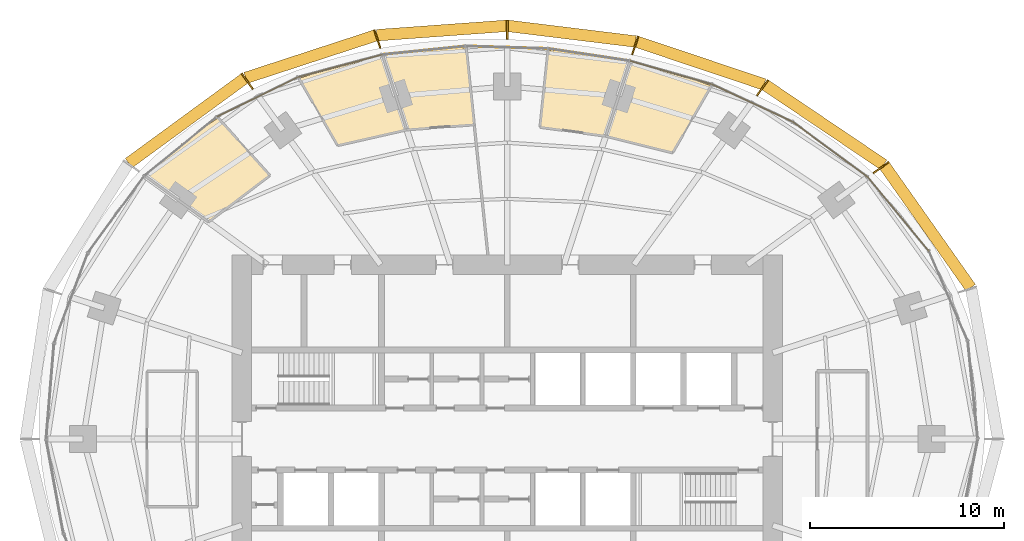
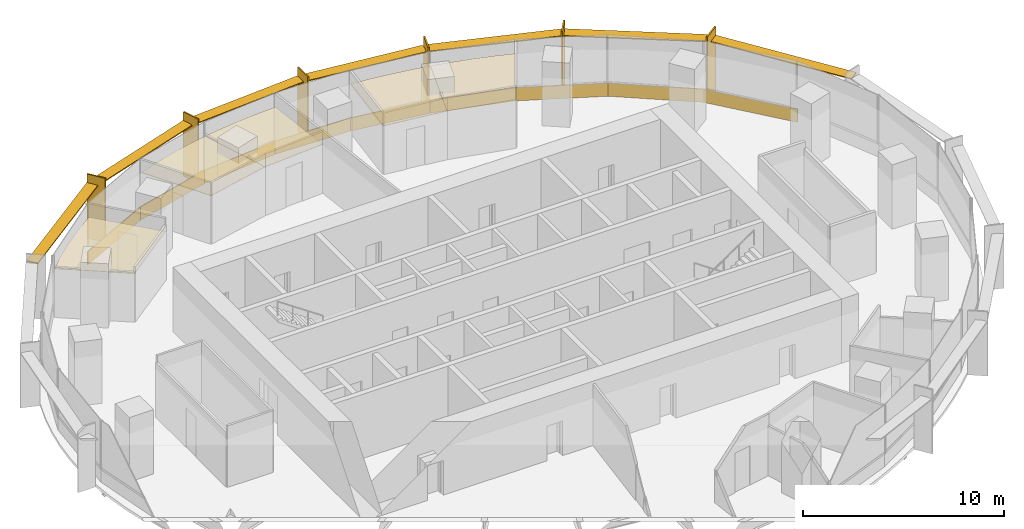
# One storey, part 15 of 15: 14 coverings, 13 shading devices.
"""IFC4 building model written with IfcOpenShell, lengths in metres."""

from ifc_helpers import new_model, si_unit, direction, frame, origin, origin_2d, place, context, subcontext, project, spatial, polyline, rectangle, outline, extrude, material, layer, layer_set, type_object, element, save


model = new_model("IFC4")

# Units and contexts
model_context = context("Model", 3, precision=1e-05, world=origin(), true_north=direction((0.0, 1.0)))
body_context = subcontext(model_context, "Body", "Model", "MODEL_VIEW")
ifc_project = project(units=[si_unit("LENGTHUNIT", "METRE"), si_unit("AREAUNIT", "SQUARE_METRE"), si_unit("VOLUMEUNIT", "CUBIC_METRE"), si_unit("PLANEANGLEUNIT", "RADIAN"), si_unit("MASSUNIT", "GRAM", prefix="KILO")], contexts=[model_context])

# Site, building, storey
site_placement = place(None, origin())
site = spatial("IfcSite", under=ifc_project, at=site_placement, CompositionType="ELEMENT")
building_placement = place(site_placement, origin())
building = spatial("IfcBuilding", under=site, at=building_placement, Name="Marramba Exchange Tower", CompositionType="ELEMENT")
storey_placement = place(building_placement, frame((0.0, 0.0, 187.699951171875)))
storey = spatial("IfcBuildingStorey", under=building, at=storey_placement, Name="L45", CompositionType="ELEMENT", Elevation=187.699951171875)

# Shading devices
ifc_material_1 = material(Name="Aluminium blade, timber-look bronze finish", Category="wood")
ifc_layer_1 = layer(ifc_material_1, 0.080078125)
ifc_layer_set_1 = layer_set([ifc_layer_1], Name="Floor-edge blade 1000x80")
shading_device_type_1 = type_object("IfcShadingDeviceType", Name="Floor-edge blade 1000x80", PredefinedType="USERDEFINED", material=ifc_layer_set_1)
for number, where, z_axis, x_axis, name in (
    (1, (19.298828125, 14.021484375, -0.159912109375), (0.0, 0.0, 1.0), (0.809016994375, 0.587785252292, 0.0), "Floor-edge blade FB1 L45 TC03"),
    (2, (13.176513671875, 18.135986328125, -0.159912109375), (0.0, 0.0, 1.0), (0.587785252292, 0.809016994375, 0.0), "Floor-edge blade FB1 L45 TC04"),
    (3, (6.605712890625, 20.330078125, -0.159912109375), (0.0, 0.0, 1.0), (0.309016994375, 0.951056516295, 0.0), "Floor-edge blade FB1 L45 TC05"),
    (4, (0.0, 21.13623046875, -0.159912109375), (0.0, 0.0, 1.0), (0.0, 1.0, 0.0), "Floor-edge blade FB1 L45 TC06"),
    (5, (-6.7119140625, 20.657470703125, -0.159912109375), (0.0, 0.0, 1.0), (-0.309016994375, 0.951056516295, 0.0), "Floor-edge blade FB1 L45 TC07"),
    (6, (-13.422607421875, 18.474609375, -0.159912109375), (0.0, 0.0, 1.0), (-0.587785252292, 0.809016994375, 0.0), "Floor-edge blade FB1 L45 TC08"),
):
    element("IfcShadingDevice", number, at=place(storey_placement, frame(where, z_axis=z_axis, x_axis=x_axis)), inside=storey, type_object=shading_device_type_1, Name=name, ObjectType="FIN", PredefinedType="USERDEFINED", context=body_context, shape_type="SweptSolid", body=[
        extrude(rectangle(XDim=1.0, YDim=0.080078125, at=origin_2d()), origin(), (0.0, 0.0, 1.0), 3.89990234375),
    ])
ifc_material_2 = material(Name="Aluminium sunshade, bronze anodised", Category="aluminium")
ifc_layer_2 = layer(ifc_material_2, 0.06005859375)
ifc_layer_set_2 = layer_set([ifc_layer_2], Name="SUNSHADE blade 600x60")
shading_device_type_2 = type_object("IfcShadingDeviceType", Name="SUNSHADE blade 600x60", PredefinedType="USERDEFINED", material=ifc_layer_set_2)
shading_device_1_placement = place(storey_placement, frame((21.703857421875, 10.9599609375, 3.159912109375), z_axis=(0.0, 0.0, 1.0), x_axis=(-0.576555118613, 0.81705825692, 0.0)))
element("IfcShadingDevice", 7, at=shading_device_1_placement, inside=storey, type_object=shading_device_type_2, Name="Sunshade SS1 L45 bay 02", ObjectType="SUNSHADE", PredefinedType="USERDEFINED", context=body_context, shape_type="SweptSolid", body=[
    extrude(rectangle(XDim=7.70166015625, YDim=0.60009765625, at=origin_2d()), origin(), (0.0, 0.0, 1.0), 0.06005859375),
])
shading_device_2_placement = place(storey_placement, frame((16.37744140625, 16.218505859375, 3.159912109375), z_axis=(0.0, 0.0, 1.0), x_axis=(-0.829071447151, 0.559142679035, 0.0)))
element("IfcShadingDevice", 8, at=shading_device_2_placement, inside=storey, type_object=shading_device_type_2, Name="Sunshade SS1 L45 bay 03", ObjectType="SUNSHADE", PredefinedType="USERDEFINED", context=body_context, shape_type="SweptSolid", body=[
    extrude(rectangle(XDim=7.35791015625, YDim=0.60009765625, at=origin_2d()), origin(), (0.0, 0.0, 1.0), 0.06005859375),
])
shading_device_3_placement = place(storey_placement, frame((9.980712890625, 19.4091796875, 3.159912109375), z_axis=(0.0, 0.0, 1.0), x_axis=(-0.948096437223, 0.317982933073, 0.0)))
element("IfcShadingDevice", 9, at=shading_device_3_placement, inside=storey, type_object=shading_device_type_2, Name="Sunshade SS1 L45 bay 04", ObjectType="SUNSHADE", PredefinedType="USERDEFINED", context=body_context, shape_type="SweptSolid", body=[
    extrude(rectangle(XDim=6.909423828125, YDim=0.60009765625, at=origin_2d()), origin(), (0.0, 0.0, 1.0), 0.06005859375),
])
shading_device_4_placement = place(storey_placement, frame((3.333740234375, 20.92822265625, 3.159912109375), z_axis=(0.0, 0.0, 1.0), x_axis=(-0.992595256045, 0.121468751853, 0.0)))
element("IfcShadingDevice", 10, at=shading_device_4_placement, inside=storey, type_object=shading_device_type_2, Name="Sunshade SS1 L45 bay 05", ObjectType="SUNSHADE", PredefinedType="USERDEFINED", context=body_context, shape_type="SweptSolid", body=[
    extrude(rectangle(XDim=6.63720703125, YDim=0.60009765625, at=origin_2d()), origin(), (0.0, 0.0, 1.0), 0.06005859375),
])
shading_device_5_placement = place(storey_placement, frame((-3.386962890625, 21.092041015625, 3.159912109375), z_axis=(0.0, 0.0, 1.0), x_axis=(-0.997407641713, -0.071958295234, 0.0)))
element("IfcShadingDevice", 11, at=shading_device_5_placement, inside=storey, type_object=shading_device_type_2, Name="Sunshade SS1 L45 bay 06", ObjectType="SUNSHADE", PredefinedType="USERDEFINED", context=body_context, shape_type="SweptSolid", body=[
    extrude(rectangle(XDim=6.71142578125, YDim=0.60009765625, at=origin_2d()), origin(), (0.0, 0.0, 1.0), 0.06005859375),
])
shading_device_6_placement = place(storey_placement, frame((-10.156982421875, 19.741943359375, 3.159912109375), z_axis=(0.0, 0.0, 1.0), x_axis=(-0.950537602937, -0.310609506297, 0.0)))
element("IfcShadingDevice", 12, at=shading_device_6_placement, inside=storey, type_object=shading_device_type_2, Name="Sunshade SS1 L45 bay 07", ObjectType="SUNSHADE", PredefinedType="USERDEFINED", context=body_context, shape_type="SweptSolid", body=[
    extrude(rectangle(XDim=7.03857421875, YDim=0.60009765625, at=origin_2d()), origin(), (0.0, 0.0, 1.0), 0.06005859375),
])
shading_device_7_placement = place(storey_placement, frame((-16.55810546875, 16.4296875, 3.159912109375), z_axis=(0.0, 0.0, 1.0), x_axis=(-0.80719390073, -0.59028637679, 0.0)))
element("IfcShadingDevice", 13, at=shading_device_7_placement, inside=storey, type_object=shading_device_type_2, Name="Sunshade SS1 L45 bay 08", ObjectType="SUNSHADE", PredefinedType="USERDEFINED", context=body_context, shape_type="SweptSolid", body=[
    extrude(rectangle(XDim=7.3974609375, YDim=0.60009765625, at=origin_2d()), origin(), (0.0, 0.0, 1.0), 0.06005859375),
])

# Coverings
ifc_material_3 = material(Name="Aluminium spandrel panel, bronze anodised, insulated", Category="aluminium")
ifc_layer_3 = layer(ifc_material_3, 0.050048828125)
ifc_layer_set_3 = layer_set([ifc_layer_3], Name="Spandrel panel 800")
covering_type_1 = type_object("IfcCoveringType", Name="Spandrel panel 800", PredefinedType="CLADDING", material=ifc_layer_set_3)
covering_1_placement = place(storey_placement, frame((20.193603515625, 11.608642578125, 0.0), z_axis=(0.0, 0.0, 1.0), x_axis=(-0.637350224586, 0.770574260678, 0.0)))
element("IfcCovering", 14, at=covering_1_placement, inside=storey, type_object=covering_type_1, Name="Spandrel panel SP1 L45 F03", PredefinedType="CLADDING", context=body_context, shape_type="SweptSolid", body=[
    extrude(rectangle(XDim=4.9658203125, YDim=0.050048828125, at=origin_2d()), origin(), (0.0, 0.0, 1.0), 0.800048828125),
])
covering_2_placement = place(storey_placement, frame((16.677001953125, 14.94775390625, 0.0), z_axis=(0.0, 0.0, 1.0), x_axis=(-0.804877256733, 0.593441321104, 0.0)))
element("IfcCovering", 15, at=covering_2_placement, inside=storey, type_object=covering_type_1, Name="Spandrel panel SP1 L45 F04", PredefinedType="CLADDING", context=body_context, shape_type="SweptSolid", body=[
    extrude(rectangle(XDim=4.805908203125, YDim=0.050048828125, at=origin_2d()), origin(), (0.0, 0.0, 1.0), 0.800048828125),
])
covering_3_placement = place(storey_placement, frame((12.65869140625, 17.344482421875, 0.0), z_axis=(0.0, 0.0, 1.0), x_axis=(-0.906533903661, 0.422133014005, 0.0)))
element("IfcCovering", 16, at=covering_3_placement, inside=storey, type_object=covering_type_1, Name="Spandrel panel SP1 L45 F05", PredefinedType="CLADDING", context=body_context, shape_type="SweptSolid", body=[
    extrude(rectangle(XDim=4.5986328125, YDim=0.050048828125, at=origin_2d()), origin(), (0.0, 0.0, 1.0), 0.800048828125),
])
covering_4_placement = place(storey_placement, frame((8.45849609375, 18.91845703125, 0.0), z_axis=(0.0, 0.0, 1.0), x_axis=(-0.961658952783, 0.274248169607, 0.0)))
element("IfcCovering", 17, at=covering_4_placement, inside=storey, type_object=covering_type_1, Name="Spandrel panel SP1 L45 F06", PredefinedType="CLADDING", context=body_context, shape_type="SweptSolid", body=[
    extrude(rectangle(XDim=4.39990234375, YDim=0.050048828125, at=origin_2d()), origin(), (0.0, 0.0, 1.0), 0.800048828125),
])
covering_5_placement = place(storey_placement, frame((4.230712890625, 19.839599609375, 0.0), z_axis=(0.0, 0.0, 1.0), x_axis=(-0.988868065308, 0.148794991224, 0.0)))
element("IfcCovering", 18, at=covering_5_placement, inside=storey, type_object=covering_type_1, Name="Spandrel panel SP1 L45 F07", PredefinedType="CLADDING", context=body_context, shape_type="SweptSolid", body=[
    extrude(rectangle(XDim=4.27197265625, YDim=0.050048828125, at=origin_2d()), origin(), (0.0, 0.0, 1.0), 0.800048828125),
])
covering_6_placement = place(storey_placement, frame((-0.0068359375, 20.221923828125, 0.0), z_axis=(0.0, 0.0, 1.0), x_axis=(-0.999537999985, 0.030393857689, 0.0)))
element("IfcCovering", 19, at=covering_6_placement, inside=storey, type_object=covering_type_1, Name="Spandrel panel SP1 L45 F08", PredefinedType="CLADDING", context=body_context, shape_type="SweptSolid", body=[
    extrude(rectangle(XDim=4.252685546875, YDim=0.050048828125, at=origin_2d()), origin(), (0.0, 0.0, 1.0), 0.800048828125),
])
covering_7_placement = place(storey_placement, frame((-4.290771484375, 20.06787109375, 0.0), z_axis=(0.0, 0.0, 1.0), x_axis=(-0.994900357732, -0.10086266993, 0.0)))
element("IfcCovering", 20, at=covering_7_placement, inside=storey, type_object=covering_type_1, Name="Spandrel panel SP1 L45 F09", PredefinedType="CLADDING", context=body_context, shape_type="SweptSolid", body=[
    extrude(rectangle(XDim=4.33935546875, YDim=0.050048828125, at=origin_2d()), origin(), (0.0, 0.0, 1.0), 0.800048828125),
])
covering_8_placement = place(storey_placement, frame((-8.620361328125, 19.27001953125, 0.0), z_axis=(0.0, 0.0, 1.0), x_axis=(-0.966240651433, -0.257641230237, 0.0)))
element("IfcCovering", 21, at=covering_8_placement, inside=storey, type_object=covering_type_1, Name="Spandrel panel SP1 L45 F10", PredefinedType="CLADDING", context=body_context, shape_type="SweptSolid", body=[
    extrude(rectangle(XDim=4.49365234375, YDim=0.050048828125, at=origin_2d()), origin(), (0.0, 0.0, 1.0), 0.800048828125),
])
covering_9_placement = place(storey_placement, frame((-12.88818359375, 17.666748046875, 0.0), z_axis=(0.0, 0.0, 1.0), x_axis=(-0.898500520314, -0.438972453572, 0.0)))
element("IfcCovering", 22, at=covering_9_placement, inside=storey, type_object=covering_type_1, Name="Spandrel panel SP1 L45 F11", PredefinedType="CLADDING", context=body_context, shape_type="SweptSolid", body=[
    extrude(rectangle(XDim=4.667236328125, YDim=0.050048828125, at=origin_2d()), origin(), (0.0, 0.0, 1.0), 0.800048828125),
])
ifc_material_4 = material(Name="Mineral fibre ceiling tiles", Category="gypsum")
ifc_layer_4 = layer(ifc_material_4, 0.02001953125)
ifc_layer_set_4 = layer_set([ifc_layer_4], Name="Suspended ceiling 20")
covering_type_2 = type_object("IfcCoveringType", Name="Suspended ceiling 20", PredefinedType="CEILING", material=ifc_layer_set_4)
covering_10_placement = place(storey_placement, frame((0.0, 0.0, 2.900146484375)))
element("IfcCovering", 23, at=covering_10_placement, inside=storey, type_object=covering_type_2, Name="Ceiling CL1 L45 Office 1", PredefinedType="CEILING", context=body_context, shape_type="SweptSolid", body=[
    extrude(outline(polyline([(6.87548828125, 19.31787109375), (7.371826171875, 19.2041015625), (7.894287109375, 19.06591796875), (8.426025390625, 18.92529296875), (8.8544921875, 18.7958984375), (9.480712890625, 18.60693359375), (10.5341796875, 18.245849609375), (8.5341796875, 14.78173828125), (5.082275390625, 15.641357421875), (6.318359375, 19.445556640625), (6.87548828125, 19.31787109375)])), origin(), (0.0, 0.0, 1.0), 0.02001953125),
])
covering_11_placement = place(storey_placement, frame((0.0, 0.0, 2.900146484375)))
element("IfcCovering", 24, at=covering_11_placement, inside=storey, type_object=covering_type_2, Name="Ceiling CL1 L45 Office 2", PredefinedType="CEILING", context=body_context, shape_type="SweptSolid", body=[
    extrude(outline(polyline([(2.362060546875, 20.051513671875), (3.16259765625, 19.96728515625), (4.214111328125, 19.82568359375), (5.265869140625, 19.65234375), (5.798095703125, 19.5478515625), (6.318359375, 19.445556640625), (5.082275390625, 15.641357421875), (1.692138671875, 16.099609375), (2.1103515625, 20.077880859375), (2.362060546875, 20.051513671875)])), origin(), (0.0, 0.0, 1.0), 0.02001953125),
])
covering_12_placement = place(storey_placement, frame((0.0, 0.0, 2.900146484375)))
element("IfcCovering", 25, at=covering_12_placement, inside=storey, type_object=covering_type_2, Name="Ceiling CL1 L45 Office 3", PredefinedType="CEILING", context=body_context, shape_type="SweptSolid", body=[
    extrude(outline(polyline([(-6.114501953125, 19.8212890625), (-5.34326171875, 19.941650390625), (-4.265625, 20.068603515625), (-3.1923828125, 20.15625), (-2.892822265625, 20.17041015625), (-2.123779296875, 20.20703125), (-1.705810546875, 16.22900390625), (-5.1884765625, 15.96875), (-6.424560546875, 19.77294921875), (-6.114501953125, 19.8212890625)])), origin(), (0.0, 0.0, 1.0), 0.02001953125),
])
covering_13_placement = place(storey_placement, frame((0.0, 0.0, 2.900146484375)))
element("IfcCovering", 26, at=covering_13_placement, inside=storey, type_object=covering_type_2, Name="Ceiling CL1 L45 Office 4", PredefinedType="CEILING", context=body_context, shape_type="SweptSolid", body=[
    extrude(outline(polyline([(-9.67431640625, 18.98681640625), (-9.112060546875, 19.148681640625), (-8.59228515625, 19.29833984375), (-7.59326171875, 19.538818359375), (-7.50830078125, 19.559326171875), (-6.424560546875, 19.77294921875), (-5.1884765625, 15.96875), (-8.75146484375, 15.15771484375), (-10.75146484375, 18.621826171875), (-9.67431640625, 18.98681640625)])), origin(), (0.0, 0.0, 1.0), 0.02001953125),
])
covering_14_placement = place(storey_placement, frame((0.0, 0.0, 2.900146484375)))
element("IfcCovering", 27, at=covering_14_placement, inside=storey, type_object=covering_type_2, Name="Ceiling CL1 L45 Office 5", PredefinedType="CEILING", context=body_context, shape_type="SweptSolid", body=[
    extrude(outline(polyline([(-18.595947265625, 13.62255859375), (-17.79150390625, 14.4072265625), (-16.87548828125, 15.19482421875), (-15.920166015625, 15.920166015625), (-15.093994140625, 16.473876953125), (-14.931396484375, 16.5830078125), (-14.931396484375, 16.5830078125), (-12.2548828125, 13.6103515625), (-15.425537109375, 11.20751953125), (-18.66162109375, 13.55859375), (-18.595947265625, 13.62255859375)])), origin(), (0.0, 0.0, 1.0), 0.02001953125),
])

save(model, "model.ifc")
